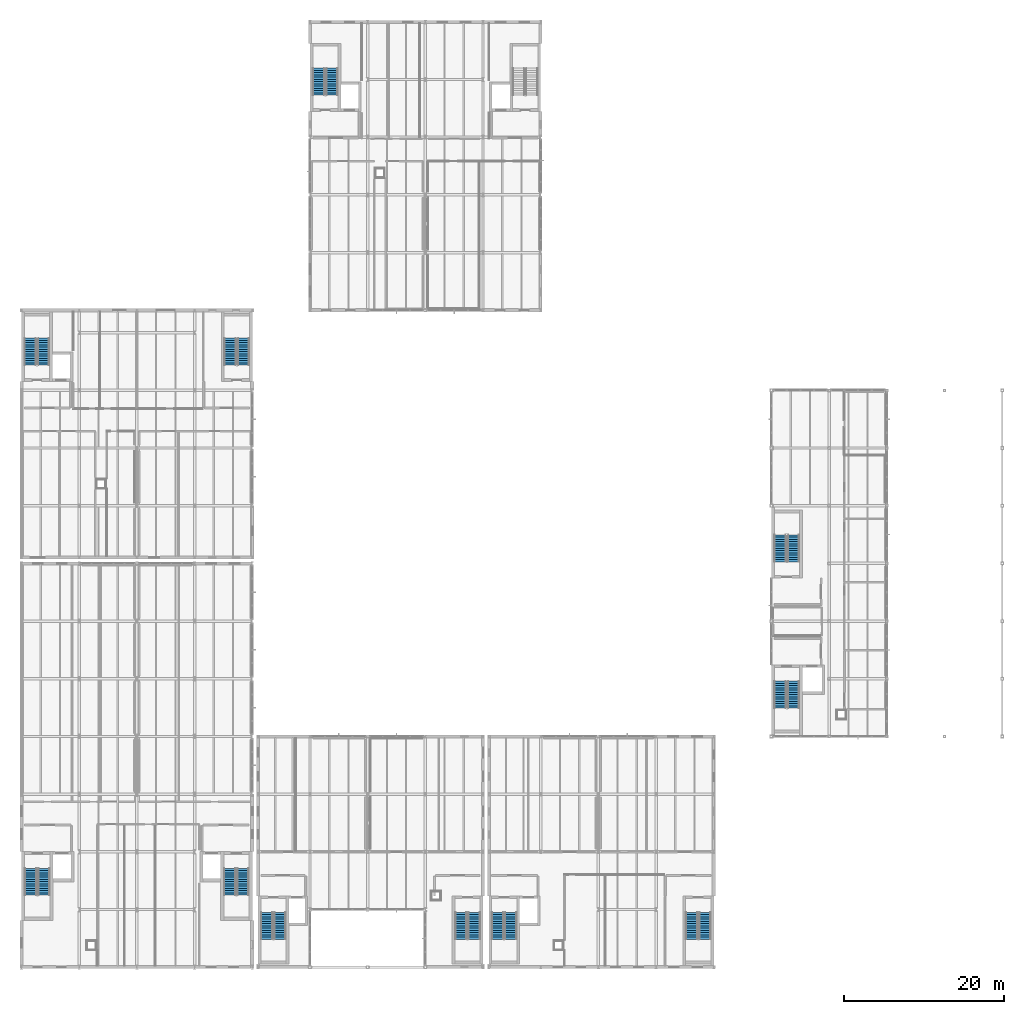
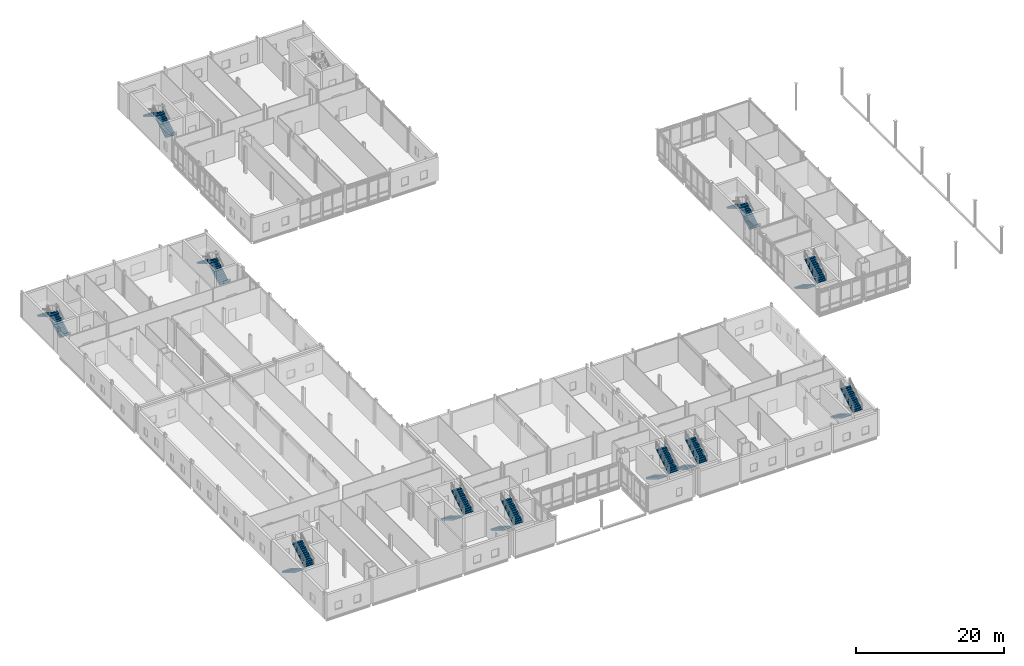
# One storey, part 63 of 76: 22 stair flights, 11 elements without a shape of their own.
"""IFC4 building model written with IfcOpenShell, lengths in metres."""

from ifc_helpers import new_model, si_unit, direction, frame, origin, place, context, subcontext, project, spatial, polyline, outline, extrude, material, type_object, element, aggregate, save


model = new_model("IFC4")

# Units and contexts
model_context = context("Model", 3, precision=1e-05, world=origin(), true_north=direction((0.0, 1.0)))
body_context = subcontext(model_context, "Body", "Model", "MODEL_VIEW")
ifc_project = project(units=[si_unit("LENGTHUNIT", "METRE"), si_unit("AREAUNIT", "SQUARE_METRE"), si_unit("VOLUMEUNIT", "CUBIC_METRE"), si_unit("PLANEANGLEUNIT", "RADIAN"), si_unit("MASSUNIT", "GRAM", prefix="KILO")], contexts=[model_context])

# Site, building, storey
site_placement = place(None, origin())
site = spatial("IfcSite", under=ifc_project, at=site_placement, CompositionType="ELEMENT")
building_placement = place(site_placement, origin())
building = spatial("IfcBuilding", under=site, at=building_placement, Name="Zarrinpeak Specialist Clinic", CompositionType="ELEMENT")
storey_placement = place(building_placement, frame((0.0, 0.0, 5.199951171875)))
storey = spatial("IfcBuildingStorey", under=building, at=storey_placement, Name="L01", CompositionType="ELEMENT", Elevation=5.199951171875)

# Stair, stair flights
ifc_material = material(Name="Concrete C35/45", Category="concrete")
stair_type = type_object("IfcStairType", Name="ST-DOG", PredefinedType="HALF_TURN_STAIR", material=ifc_material)
stair_1_placement = place(storey_placement, origin())
stair_1 = element("IfcStair", 1, at=stair_1_placement, inside=storey, type_object=stair_type, Name="L01 Protected Exit Stair ST-01", PredefinedType="HALF_TURN_STAIR")
stair_flight_type = type_object("IfcStairFlightType", Name="STF-150", PredefinedType="STRAIGHT", material=ifc_material)
stair_flight_1_placement = place(storey_placement, frame((1.14990234375, 12.35009765625, 0.0), z_axis=(0.0, 0.0, 1.0), x_axis=(0.0, -1.0, 0.0)))
stair_flight_1 = element("IfcStairFlight", 2, at=stair_flight_1_placement, type_object=stair_flight_type, Name="ST-01 flight 1", NumberOfRisers=13, NumberOfTreads=12, PredefinedType="STRAIGHT", RiserHeight=0.169230769, TreadLength=0.28, context=body_context, shape_type="SweptSolid", body=[
    extrude(outline(polyline([(0.0, 0.0), (0.0, 0.169189453125), (0.280029296875, 0.169189453125), (0.280029296875, 0.33837890625), (0.56005859375, 0.33837890625), (0.56005859375, 0.5078125), (0.840087890625, 0.5078125), (0.840087890625, 0.677001953125), (1.1201171875, 0.677001953125), (1.1201171875, 0.84619140625), (1.39990234375, 0.84619140625), (1.39990234375, 1.015380859375), (1.679931640625, 1.015380859375), (1.679931640625, 1.1845703125), (1.9599609375, 1.1845703125), (1.9599609375, 1.353759765625), (2.239990234375, 1.353759765625), (2.239990234375, 1.523193359375), (2.52001953125, 1.523193359375), (2.52001953125, 1.6923828125), (2.800048828125, 1.6923828125), (2.800048828125, 1.861572265625), (3.080078125, 1.861572265625), (3.080078125, 2.03076171875), (3.360107421875, 2.03076171875), (3.360107421875, 2.199951171875), (3.360107421875, 1.855712890625), (0.289794921875, 0.0), (0.0, 0.0)])), frame((0.0, 0.75, 0.0), z_axis=(0.0, -1.0, 0.0), x_axis=(1.0, 0.0, 0.0)), (0.0, 0.0, 1.0), 1.5),
])
stair_flight_2_placement = place(storey_placement, frame((2.800048828125, 8.989990234375, 2.199951171875), z_axis=(0.0, 0.0, 1.0), x_axis=(0.0, 1.0, 0.0)))
stair_flight_2 = element("IfcStairFlight", 3, at=stair_flight_2_placement, type_object=stair_flight_type, Name="ST-01 flight 2", NumberOfRisers=13, NumberOfTreads=12, PredefinedType="STRAIGHT", RiserHeight=0.169230769, TreadLength=0.28, context=body_context, shape_type="SweptSolid", body=[
    extrude(outline(polyline([(0.0, 0.0), (0.0, 0.169189453125), (0.280029296875, 0.169189453125), (0.280029296875, 0.33837890625), (0.56005859375, 0.33837890625), (0.56005859375, 0.5078125), (0.840087890625, 0.5078125), (0.840087890625, 0.677001953125), (1.1201171875, 0.677001953125), (1.1201171875, 0.84619140625), (1.39990234375, 0.84619140625), (1.39990234375, 1.015380859375), (1.679931640625, 1.015380859375), (1.679931640625, 1.1845703125), (1.9599609375, 1.1845703125), (1.9599609375, 1.353759765625), (2.239990234375, 1.353759765625), (2.239990234375, 1.523193359375), (2.52001953125, 1.523193359375), (2.52001953125, 1.6923828125), (2.800048828125, 1.6923828125), (2.800048828125, 1.861572265625), (3.080078125, 1.861572265625), (3.080078125, 2.03076171875), (3.360107421875, 2.03076171875), (3.360107421875, 2.199951171875), (3.360107421875, 1.855712890625), (0.289794921875, 0.0), (0.0, 0.0)])), frame((0.0, 0.75, 0.0), z_axis=(0.0, -1.0, 0.0), x_axis=(1.0, 0.0, 0.0)), (0.0, 0.0, 1.0), 1.5),
])
aggregate(stair_1, [stair_flight_1, stair_flight_2])

stair_2_placement = place(storey_placement, origin())
stair_2 = element("IfcStair", 4, at=stair_2_placement, inside=storey, type_object=stair_type, Name="L01 Protected Exit Stair ST-02", PredefinedType="HALF_TURN_STAIR")
stair_flight_3_placement = place(storey_placement, frame((26.0, 12.35009765625, 0.0), z_axis=(0.0, 0.0, 1.0), x_axis=(0.0, -1.0, 0.0)))
stair_flight_3 = element("IfcStairFlight", 5, at=stair_flight_3_placement, type_object=stair_flight_type, Name="ST-02 flight 1", NumberOfRisers=13, NumberOfTreads=12, PredefinedType="STRAIGHT", RiserHeight=0.169230769, TreadLength=0.28, context=body_context, shape_type="SweptSolid", body=[
    extrude(outline(polyline([(0.0, 0.0), (0.0, 0.169189453125), (0.280029296875, 0.169189453125), (0.280029296875, 0.33837890625), (0.56005859375, 0.33837890625), (0.56005859375, 0.5078125), (0.840087890625, 0.5078125), (0.840087890625, 0.677001953125), (1.1201171875, 0.677001953125), (1.1201171875, 0.84619140625), (1.39990234375, 0.84619140625), (1.39990234375, 1.015380859375), (1.679931640625, 1.015380859375), (1.679931640625, 1.1845703125), (1.9599609375, 1.1845703125), (1.9599609375, 1.353759765625), (2.239990234375, 1.353759765625), (2.239990234375, 1.523193359375), (2.52001953125, 1.523193359375), (2.52001953125, 1.6923828125), (2.800048828125, 1.6923828125), (2.800048828125, 1.861572265625), (3.080078125, 1.861572265625), (3.080078125, 2.03076171875), (3.360107421875, 2.03076171875), (3.360107421875, 2.199951171875), (3.360107421875, 1.855712890625), (0.289794921875, 0.0), (0.0, 0.0)])), frame((0.0, 0.75, 0.0), z_axis=(0.0, -1.0, 0.0), x_axis=(1.0, 0.0, 0.0)), (0.0, 0.0, 1.0), 1.5),
])
stair_flight_4_placement = place(storey_placement, frame((27.64990234375, 8.989990234375, 2.199951171875), z_axis=(0.0, 0.0, 1.0), x_axis=(0.0, 1.0, 0.0)))
stair_flight_4 = element("IfcStairFlight", 6, at=stair_flight_4_placement, type_object=stair_flight_type, Name="ST-02 flight 2", NumberOfRisers=13, NumberOfTreads=12, PredefinedType="STRAIGHT", RiserHeight=0.169230769, TreadLength=0.28, context=body_context, shape_type="SweptSolid", body=[
    extrude(outline(polyline([(0.0, 0.0), (0.0, 0.169189453125), (0.280029296875, 0.169189453125), (0.280029296875, 0.33837890625), (0.56005859375, 0.33837890625), (0.56005859375, 0.5078125), (0.840087890625, 0.5078125), (0.840087890625, 0.677001953125), (1.1201171875, 0.677001953125), (1.1201171875, 0.84619140625), (1.39990234375, 0.84619140625), (1.39990234375, 1.015380859375), (1.679931640625, 1.015380859375), (1.679931640625, 1.1845703125), (1.9599609375, 1.1845703125), (1.9599609375, 1.353759765625), (2.239990234375, 1.353759765625), (2.239990234375, 1.523193359375), (2.52001953125, 1.523193359375), (2.52001953125, 1.6923828125), (2.800048828125, 1.6923828125), (2.800048828125, 1.861572265625), (3.080078125, 1.861572265625), (3.080078125, 2.03076171875), (3.360107421875, 2.03076171875), (3.360107421875, 2.199951171875), (3.360107421875, 1.855712890625), (0.289794921875, 0.0), (0.0, 0.0)])), frame((0.0, 0.75, 0.0), z_axis=(0.0, -1.0, 0.0), x_axis=(1.0, 0.0, 0.0)), (0.0, 0.0, 1.0), 1.5),
])
aggregate(stair_2, [stair_flight_3, stair_flight_4])

stair_3_placement = place(storey_placement, origin())
stair_3 = element("IfcStair", 7, at=stair_3_placement, inside=storey, type_object=stair_type, Name="L01 Protected Exit Stair ST-03", PredefinedType="HALF_TURN_STAIR")
stair_flight_5_placement = place(storey_placement, frame((30.6201171875, 6.85009765625, 0.0), z_axis=(0.0, 0.0, 1.0), x_axis=(0.0, -1.0, 0.0)))
stair_flight_5 = element("IfcStairFlight", 8, at=stair_flight_5_placement, type_object=stair_flight_type, Name="ST-03 flight 1", NumberOfRisers=13, NumberOfTreads=12, PredefinedType="STRAIGHT", RiserHeight=0.169230769, TreadLength=0.28, context=body_context, shape_type="SweptSolid", body=[
    extrude(outline(polyline([(0.0, 0.0), (0.0, 0.169189453125), (0.280029296875, 0.169189453125), (0.280029296875, 0.33837890625), (0.56005859375, 0.33837890625), (0.56005859375, 0.5078125), (0.840087890625, 0.5078125), (0.840087890625, 0.677001953125), (1.1201171875, 0.677001953125), (1.1201171875, 0.84619140625), (1.39990234375, 0.84619140625), (1.39990234375, 1.015380859375), (1.679931640625, 1.015380859375), (1.679931640625, 1.1845703125), (1.9599609375, 1.1845703125), (1.9599609375, 1.353759765625), (2.239990234375, 1.353759765625), (2.239990234375, 1.523193359375), (2.52001953125, 1.523193359375), (2.52001953125, 1.6923828125), (2.800048828125, 1.6923828125), (2.800048828125, 1.861572265625), (3.080078125, 1.861572265625), (3.080078125, 2.03076171875), (3.360107421875, 2.03076171875), (3.360107421875, 2.199951171875), (3.360107421875, 1.855712890625), (0.289794921875, 0.0), (0.0, 0.0)])), frame((0.0, 0.75, 0.0), z_axis=(0.0, -1.0, 0.0), x_axis=(1.0, 0.0, 0.0)), (0.0, 0.0, 1.0), 1.5),
])
stair_flight_6_placement = place(storey_placement, frame((32.27001953125, 3.489990234375, 2.199951171875), z_axis=(0.0, 0.0, 1.0), x_axis=(0.0, 1.0, 0.0)))
stair_flight_6 = element("IfcStairFlight", 9, at=stair_flight_6_placement, type_object=stair_flight_type, Name="ST-03 flight 2", NumberOfRisers=13, NumberOfTreads=12, PredefinedType="STRAIGHT", RiserHeight=0.169230769, TreadLength=0.28, context=body_context, shape_type="SweptSolid", body=[
    extrude(outline(polyline([(0.0, 0.0), (0.0, 0.169189453125), (0.280029296875, 0.169189453125), (0.280029296875, 0.33837890625), (0.56005859375, 0.33837890625), (0.56005859375, 0.5078125), (0.840087890625, 0.5078125), (0.840087890625, 0.677001953125), (1.1201171875, 0.677001953125), (1.1201171875, 0.84619140625), (1.39990234375, 0.84619140625), (1.39990234375, 1.015380859375), (1.679931640625, 1.015380859375), (1.679931640625, 1.1845703125), (1.9599609375, 1.1845703125), (1.9599609375, 1.353759765625), (2.239990234375, 1.353759765625), (2.239990234375, 1.523193359375), (2.52001953125, 1.523193359375), (2.52001953125, 1.6923828125), (2.800048828125, 1.6923828125), (2.800048828125, 1.861572265625), (3.080078125, 1.861572265625), (3.080078125, 2.03076171875), (3.360107421875, 2.03076171875), (3.360107421875, 2.199951171875), (3.360107421875, 1.855712890625), (0.289794921875, 0.0), (0.0, 0.0)])), frame((0.0, 0.75, 0.0), z_axis=(0.0, -1.0, 0.0), x_axis=(1.0, 0.0, 0.0)), (0.0, 0.0, 1.0), 1.5),
])
aggregate(stair_3, [stair_flight_5, stair_flight_6])

stair_4_placement = place(storey_placement, origin())
stair_4 = element("IfcStair", 10, at=stair_4_placement, inside=storey, type_object=stair_type, Name="L01 Protected Exit Stair ST-04", PredefinedType="HALF_TURN_STAIR")
stair_flight_7_placement = place(storey_placement, frame((54.85009765625, 6.85009765625, 0.0), z_axis=(0.0, 0.0, 1.0), x_axis=(0.0, -1.0, 0.0)))
stair_flight_7 = element("IfcStairFlight", 11, at=stair_flight_7_placement, type_object=stair_flight_type, Name="ST-04 flight 1", NumberOfRisers=13, NumberOfTreads=12, PredefinedType="STRAIGHT", RiserHeight=0.169230769, TreadLength=0.28, context=body_context, shape_type="SweptSolid", body=[
    extrude(outline(polyline([(0.0, 0.0), (0.0, 0.169189453125), (0.280029296875, 0.169189453125), (0.280029296875, 0.33837890625), (0.56005859375, 0.33837890625), (0.56005859375, 0.5078125), (0.840087890625, 0.5078125), (0.840087890625, 0.677001953125), (1.1201171875, 0.677001953125), (1.1201171875, 0.84619140625), (1.39990234375, 0.84619140625), (1.39990234375, 1.015380859375), (1.679931640625, 1.015380859375), (1.679931640625, 1.1845703125), (1.9599609375, 1.1845703125), (1.9599609375, 1.353759765625), (2.239990234375, 1.353759765625), (2.239990234375, 1.523193359375), (2.52001953125, 1.523193359375), (2.52001953125, 1.6923828125), (2.800048828125, 1.6923828125), (2.800048828125, 1.861572265625), (3.080078125, 1.861572265625), (3.080078125, 2.03076171875), (3.360107421875, 2.03076171875), (3.360107421875, 2.199951171875), (3.360107421875, 1.855712890625), (0.289794921875, 0.0), (0.0, 0.0)])), frame((0.0, 0.75, 0.0), z_axis=(0.0, -1.0, 0.0), x_axis=(1.0, 0.0, 0.0)), (0.0, 0.0, 1.0), 1.5),
])
stair_flight_8_placement = place(storey_placement, frame((56.5, 3.489990234375, 2.199951171875), z_axis=(0.0, 0.0, 1.0), x_axis=(0.0, 1.0, 0.0)))
stair_flight_8 = element("IfcStairFlight", 12, at=stair_flight_8_placement, type_object=stair_flight_type, Name="ST-04 flight 2", NumberOfRisers=13, NumberOfTreads=12, PredefinedType="STRAIGHT", RiserHeight=0.169230769, TreadLength=0.28, context=body_context, shape_type="SweptSolid", body=[
    extrude(outline(polyline([(0.0, 0.0), (0.0, 0.169189453125), (0.280029296875, 0.169189453125), (0.280029296875, 0.33837890625), (0.56005859375, 0.33837890625), (0.56005859375, 0.5078125), (0.840087890625, 0.5078125), (0.840087890625, 0.677001953125), (1.1201171875, 0.677001953125), (1.1201171875, 0.84619140625), (1.39990234375, 0.84619140625), (1.39990234375, 1.015380859375), (1.679931640625, 1.015380859375), (1.679931640625, 1.1845703125), (1.9599609375, 1.1845703125), (1.9599609375, 1.353759765625), (2.239990234375, 1.353759765625), (2.239990234375, 1.523193359375), (2.52001953125, 1.523193359375), (2.52001953125, 1.6923828125), (2.800048828125, 1.6923828125), (2.800048828125, 1.861572265625), (3.080078125, 1.861572265625), (3.080078125, 2.03076171875), (3.360107421875, 2.03076171875), (3.360107421875, 2.199951171875), (3.360107421875, 1.855712890625), (0.289794921875, 0.0), (0.0, 0.0)])), frame((0.0, 0.75, 0.0), z_axis=(0.0, -1.0, 0.0), x_axis=(1.0, 0.0, 0.0)), (0.0, 0.0, 1.0), 1.5),
])
aggregate(stair_4, [stair_flight_7, stair_flight_8])

stair_5_placement = place(storey_placement, origin())
stair_5 = element("IfcStair", 13, at=stair_5_placement, inside=storey, type_object=stair_type, Name="L01 Protected Exit Stair ST-05", PredefinedType="HALF_TURN_STAIR")
stair_flight_9_placement = place(storey_placement, frame((94.699951171875, 35.699951171875, 0.0), z_axis=(0.0, 0.0, 1.0), x_axis=(0.0, -1.0, 0.0)))
stair_flight_9 = element("IfcStairFlight", 14, at=stair_flight_9_placement, type_object=stair_flight_type, Name="ST-05 flight 1", NumberOfRisers=13, NumberOfTreads=12, PredefinedType="STRAIGHT", RiserHeight=0.169230769, TreadLength=0.28, context=body_context, shape_type="SweptSolid", body=[
    extrude(outline(polyline([(0.0, 0.0), (0.0, 0.169189453125), (0.280029296875, 0.169189453125), (0.280029296875, 0.33837890625), (0.56005859375, 0.33837890625), (0.56005859375, 0.5078125), (0.840087890625, 0.5078125), (0.840087890625, 0.677001953125), (1.1201171875, 0.677001953125), (1.1201171875, 0.84619140625), (1.39990234375, 0.84619140625), (1.39990234375, 1.015380859375), (1.679931640625, 1.015380859375), (1.679931640625, 1.1845703125), (1.9599609375, 1.1845703125), (1.9599609375, 1.353759765625), (2.239990234375, 1.353759765625), (2.239990234375, 1.523193359375), (2.52001953125, 1.523193359375), (2.52001953125, 1.6923828125), (2.800048828125, 1.6923828125), (2.800048828125, 1.861572265625), (3.080078125, 1.861572265625), (3.080078125, 2.03076171875), (3.360107421875, 2.03076171875), (3.360107421875, 2.199951171875), (3.360107421875, 1.855712890625), (0.289794921875, 0.0), (0.0, 0.0)])), frame((0.0, 0.75, 0.0), z_axis=(0.0, -1.0, 0.0), x_axis=(1.0, 0.0, 0.0)), (0.0, 0.0, 1.0), 1.5),
])
stair_flight_10_placement = place(storey_placement, frame((96.35009765625, 32.340087890625, 2.199951171875), z_axis=(0.0, 0.0, 1.0), x_axis=(0.0, 1.0, 0.0)))
stair_flight_10 = element("IfcStairFlight", 15, at=stair_flight_10_placement, type_object=stair_flight_type, Name="ST-05 flight 2", NumberOfRisers=13, NumberOfTreads=12, PredefinedType="STRAIGHT", RiserHeight=0.169230769, TreadLength=0.28, context=body_context, shape_type="SweptSolid", body=[
    extrude(outline(polyline([(0.0, 0.0), (0.0, 0.169189453125), (0.280029296875, 0.169189453125), (0.280029296875, 0.33837890625), (0.56005859375, 0.33837890625), (0.56005859375, 0.5078125), (0.840087890625, 0.5078125), (0.840087890625, 0.677001953125), (1.1201171875, 0.677001953125), (1.1201171875, 0.84619140625), (1.39990234375, 0.84619140625), (1.39990234375, 1.015380859375), (1.679931640625, 1.015380859375), (1.679931640625, 1.1845703125), (1.9599609375, 1.1845703125), (1.9599609375, 1.353759765625), (2.239990234375, 1.353759765625), (2.239990234375, 1.523193359375), (2.52001953125, 1.523193359375), (2.52001953125, 1.6923828125), (2.800048828125, 1.6923828125), (2.800048828125, 1.861572265625), (3.080078125, 1.861572265625), (3.080078125, 2.03076171875), (3.360107421875, 2.03076171875), (3.360107421875, 2.199951171875), (3.360107421875, 1.855712890625), (0.289794921875, 0.0), (0.0, 0.0)])), frame((0.0, 0.75, 0.0), z_axis=(0.0, -1.0, 0.0), x_axis=(1.0, 0.0, 0.0)), (0.0, 0.0, 1.0), 1.5),
])
aggregate(stair_5, [stair_flight_9, stair_flight_10])

stair_6_placement = place(storey_placement, origin())
stair_6 = element("IfcStair", 16, at=stair_6_placement, inside=storey, type_object=stair_type, Name="L01 Protected Exit Stair ST-06", PredefinedType="HALF_TURN_STAIR")
stair_flight_11_placement = place(storey_placement, frame((96.35009765625, 50.60009765625, 0.0), z_axis=(0.0, 0.0, 1.0), x_axis=(0.0, 1.0, 0.0)))
stair_flight_11 = element("IfcStairFlight", 17, at=stair_flight_11_placement, type_object=stair_flight_type, Name="ST-06 flight 1", NumberOfRisers=13, NumberOfTreads=12, PredefinedType="STRAIGHT", RiserHeight=0.169230769, TreadLength=0.28, context=body_context, shape_type="SweptSolid", body=[
    extrude(outline(polyline([(0.0, 0.0), (0.0, 0.169189453125), (0.280029296875, 0.169189453125), (0.280029296875, 0.33837890625), (0.56005859375, 0.33837890625), (0.56005859375, 0.5078125), (0.840087890625, 0.5078125), (0.840087890625, 0.677001953125), (1.1201171875, 0.677001953125), (1.1201171875, 0.84619140625), (1.39990234375, 0.84619140625), (1.39990234375, 1.015380859375), (1.679931640625, 1.015380859375), (1.679931640625, 1.1845703125), (1.9599609375, 1.1845703125), (1.9599609375, 1.353759765625), (2.239990234375, 1.353759765625), (2.239990234375, 1.523193359375), (2.52001953125, 1.523193359375), (2.52001953125, 1.6923828125), (2.800048828125, 1.6923828125), (2.800048828125, 1.861572265625), (3.080078125, 1.861572265625), (3.080078125, 2.03076171875), (3.360107421875, 2.03076171875), (3.360107421875, 2.199951171875), (3.360107421875, 1.855712890625), (0.289794921875, 0.0), (0.0, 0.0)])), frame((0.0, 0.75, 0.0), z_axis=(0.0, -1.0, 0.0), x_axis=(1.0, 0.0, 0.0)), (0.0, 0.0, 1.0), 1.5),
])
stair_flight_12_placement = place(storey_placement, frame((94.699951171875, 53.9599609375, 2.199951171875), z_axis=(0.0, 0.0, 1.0), x_axis=(0.0, -1.0, 0.0)))
stair_flight_12 = element("IfcStairFlight", 18, at=stair_flight_12_placement, type_object=stair_flight_type, Name="ST-06 flight 2", NumberOfRisers=13, NumberOfTreads=12, PredefinedType="STRAIGHT", RiserHeight=0.169230769, TreadLength=0.28, context=body_context, shape_type="SweptSolid", body=[
    extrude(outline(polyline([(0.0, 0.0), (0.0, 0.169189453125), (0.280029296875, 0.169189453125), (0.280029296875, 0.33837890625), (0.56005859375, 0.33837890625), (0.56005859375, 0.5078125), (0.840087890625, 0.5078125), (0.840087890625, 0.677001953125), (1.1201171875, 0.677001953125), (1.1201171875, 0.84619140625), (1.39990234375, 0.84619140625), (1.39990234375, 1.015380859375), (1.679931640625, 1.015380859375), (1.679931640625, 1.1845703125), (1.9599609375, 1.1845703125), (1.9599609375, 1.353759765625), (2.239990234375, 1.353759765625), (2.239990234375, 1.523193359375), (2.52001953125, 1.523193359375), (2.52001953125, 1.6923828125), (2.800048828125, 1.6923828125), (2.800048828125, 1.861572265625), (3.080078125, 1.861572265625), (3.080078125, 2.03076171875), (3.360107421875, 2.03076171875), (3.360107421875, 2.199951171875), (3.360107421875, 1.855712890625), (0.289794921875, 0.0), (0.0, 0.0)])), frame((0.0, 0.75, 0.0), z_axis=(0.0, -1.0, 0.0), x_axis=(1.0, 0.0, 0.0)), (0.0, 0.0, 1.0), 1.5),
])
aggregate(stair_6, [stair_flight_11, stair_flight_12])

stair_7_placement = place(storey_placement, origin())
stair_7 = element("IfcStair", 19, at=stair_7_placement, inside=storey, type_object=stair_type, Name="L01 Protected Exit Stair ST-07", PredefinedType="HALF_TURN_STAIR")
stair_flight_13_placement = place(storey_placement, frame((59.419921875, 6.85009765625, 0.0), z_axis=(0.0, 0.0, 1.0), x_axis=(0.0, -1.0, 0.0)))
stair_flight_13 = element("IfcStairFlight", 20, at=stair_flight_13_placement, type_object=stair_flight_type, Name="ST-07 flight 1", NumberOfRisers=13, NumberOfTreads=12, PredefinedType="STRAIGHT", RiserHeight=0.169230769, TreadLength=0.28, context=body_context, shape_type="SweptSolid", body=[
    extrude(outline(polyline([(0.0, 0.0), (0.0, 0.169189453125), (0.280029296875, 0.169189453125), (0.280029296875, 0.33837890625), (0.56005859375, 0.33837890625), (0.56005859375, 0.5078125), (0.840087890625, 0.5078125), (0.840087890625, 0.677001953125), (1.1201171875, 0.677001953125), (1.1201171875, 0.84619140625), (1.39990234375, 0.84619140625), (1.39990234375, 1.015380859375), (1.679931640625, 1.015380859375), (1.679931640625, 1.1845703125), (1.9599609375, 1.1845703125), (1.9599609375, 1.353759765625), (2.239990234375, 1.353759765625), (2.239990234375, 1.523193359375), (2.52001953125, 1.523193359375), (2.52001953125, 1.6923828125), (2.800048828125, 1.6923828125), (2.800048828125, 1.861572265625), (3.080078125, 1.861572265625), (3.080078125, 2.03076171875), (3.360107421875, 2.03076171875), (3.360107421875, 2.199951171875), (3.360107421875, 1.855712890625), (0.289794921875, 0.0), (0.0, 0.0)])), frame((0.0, 0.75, 0.0), z_axis=(0.0, -1.0, 0.0), x_axis=(1.0, 0.0, 0.0)), (0.0, 0.0, 1.0), 1.5),
])
stair_flight_14_placement = place(storey_placement, frame((61.070068359375, 3.489990234375, 2.199951171875), z_axis=(0.0, 0.0, 1.0), x_axis=(0.0, 1.0, 0.0)))
stair_flight_14 = element("IfcStairFlight", 21, at=stair_flight_14_placement, type_object=stair_flight_type, Name="ST-07 flight 2", NumberOfRisers=13, NumberOfTreads=12, PredefinedType="STRAIGHT", RiserHeight=0.169230769, TreadLength=0.28, context=body_context, shape_type="SweptSolid", body=[
    extrude(outline(polyline([(0.0, 0.0), (0.0, 0.169189453125), (0.280029296875, 0.169189453125), (0.280029296875, 0.33837890625), (0.56005859375, 0.33837890625), (0.56005859375, 0.5078125), (0.840087890625, 0.5078125), (0.840087890625, 0.677001953125), (1.1201171875, 0.677001953125), (1.1201171875, 0.84619140625), (1.39990234375, 0.84619140625), (1.39990234375, 1.015380859375), (1.679931640625, 1.015380859375), (1.679931640625, 1.1845703125), (1.9599609375, 1.1845703125), (1.9599609375, 1.353759765625), (2.239990234375, 1.353759765625), (2.239990234375, 1.523193359375), (2.52001953125, 1.523193359375), (2.52001953125, 1.6923828125), (2.800048828125, 1.6923828125), (2.800048828125, 1.861572265625), (3.080078125, 1.861572265625), (3.080078125, 2.03076171875), (3.360107421875, 2.03076171875), (3.360107421875, 2.199951171875), (3.360107421875, 1.855712890625), (0.289794921875, 0.0), (0.0, 0.0)])), frame((0.0, 0.75, 0.0), z_axis=(0.0, -1.0, 0.0), x_axis=(1.0, 0.0, 0.0)), (0.0, 0.0, 1.0), 1.5),
])
aggregate(stair_7, [stair_flight_13, stair_flight_14])

stair_8_placement = place(storey_placement, origin())
stair_8 = element("IfcStair", 22, at=stair_8_placement, inside=storey, type_object=stair_type, Name="L01 Protected Exit Stair ST-08", PredefinedType="HALF_TURN_STAIR")
stair_flight_15_placement = place(storey_placement, frame((83.64990234375, 6.85009765625, 0.0), z_axis=(0.0, 0.0, 1.0), x_axis=(0.0, -1.0, 0.0)))
stair_flight_15 = element("IfcStairFlight", 23, at=stair_flight_15_placement, type_object=stair_flight_type, Name="ST-08 flight 1", NumberOfRisers=13, NumberOfTreads=12, PredefinedType="STRAIGHT", RiserHeight=0.169230769, TreadLength=0.28, context=body_context, shape_type="SweptSolid", body=[
    extrude(outline(polyline([(0.0, 0.0), (0.0, 0.169189453125), (0.280029296875, 0.169189453125), (0.280029296875, 0.33837890625), (0.56005859375, 0.33837890625), (0.56005859375, 0.5078125), (0.840087890625, 0.5078125), (0.840087890625, 0.677001953125), (1.1201171875, 0.677001953125), (1.1201171875, 0.84619140625), (1.39990234375, 0.84619140625), (1.39990234375, 1.015380859375), (1.679931640625, 1.015380859375), (1.679931640625, 1.1845703125), (1.9599609375, 1.1845703125), (1.9599609375, 1.353759765625), (2.239990234375, 1.353759765625), (2.239990234375, 1.523193359375), (2.52001953125, 1.523193359375), (2.52001953125, 1.6923828125), (2.800048828125, 1.6923828125), (2.800048828125, 1.861572265625), (3.080078125, 1.861572265625), (3.080078125, 2.03076171875), (3.360107421875, 2.03076171875), (3.360107421875, 2.199951171875), (3.360107421875, 1.855712890625), (0.289794921875, 0.0), (0.0, 0.0)])), frame((0.0, 0.75, 0.0), z_axis=(0.0, -1.0, 0.0), x_axis=(1.0, 0.0, 0.0)), (0.0, 0.0, 1.0), 1.5),
])
stair_flight_16_placement = place(storey_placement, frame((85.300048828125, 3.489990234375, 2.199951171875), z_axis=(0.0, 0.0, 1.0), x_axis=(0.0, 1.0, 0.0)))
stair_flight_16 = element("IfcStairFlight", 24, at=stair_flight_16_placement, type_object=stair_flight_type, Name="ST-08 flight 2", NumberOfRisers=13, NumberOfTreads=12, PredefinedType="STRAIGHT", RiserHeight=0.169230769, TreadLength=0.28, context=body_context, shape_type="SweptSolid", body=[
    extrude(outline(polyline([(0.0, 0.0), (0.0, 0.169189453125), (0.280029296875, 0.169189453125), (0.280029296875, 0.33837890625), (0.56005859375, 0.33837890625), (0.56005859375, 0.5078125), (0.840087890625, 0.5078125), (0.840087890625, 0.677001953125), (1.1201171875, 0.677001953125), (1.1201171875, 0.84619140625), (1.39990234375, 0.84619140625), (1.39990234375, 1.015380859375), (1.679931640625, 1.015380859375), (1.679931640625, 1.1845703125), (1.9599609375, 1.1845703125), (1.9599609375, 1.353759765625), (2.239990234375, 1.353759765625), (2.239990234375, 1.523193359375), (2.52001953125, 1.523193359375), (2.52001953125, 1.6923828125), (2.800048828125, 1.6923828125), (2.800048828125, 1.861572265625), (3.080078125, 1.861572265625), (3.080078125, 2.03076171875), (3.360107421875, 2.03076171875), (3.360107421875, 2.199951171875), (3.360107421875, 1.855712890625), (0.289794921875, 0.0), (0.0, 0.0)])), frame((0.0, 0.75, 0.0), z_axis=(0.0, -1.0, 0.0), x_axis=(1.0, 0.0, 0.0)), (0.0, 0.0, 1.0), 1.5),
])
aggregate(stair_8, [stair_flight_15, stair_flight_16])

stair_9_placement = place(storey_placement, origin())
stair_9 = element("IfcStair", 25, at=stair_9_placement, inside=storey, type_object=stair_type, Name="L01 Protected Exit Stair ST-09", PredefinedType="HALF_TURN_STAIR")
stair_flight_17_placement = place(storey_placement, frame((2.75, 75.14990234375, 0.0), z_axis=(0.0, 0.0, 1.0), x_axis=(0.0, 1.0, 0.0)))
stair_flight_17 = element("IfcStairFlight", 26, at=stair_flight_17_placement, type_object=stair_flight_type, Name="ST-09 flight 1", NumberOfRisers=13, NumberOfTreads=12, PredefinedType="STRAIGHT", RiserHeight=0.169230769, TreadLength=0.28, context=body_context, shape_type="SweptSolid", body=[
    extrude(outline(polyline([(0.0, 0.0), (0.0, 0.169189453125), (0.280029296875, 0.169189453125), (0.280029296875, 0.33837890625), (0.56005859375, 0.33837890625), (0.56005859375, 0.5078125), (0.840087890625, 0.5078125), (0.840087890625, 0.677001953125), (1.1201171875, 0.677001953125), (1.1201171875, 0.84619140625), (1.39990234375, 0.84619140625), (1.39990234375, 1.015380859375), (1.679931640625, 1.015380859375), (1.679931640625, 1.1845703125), (1.9599609375, 1.1845703125), (1.9599609375, 1.353759765625), (2.239990234375, 1.353759765625), (2.239990234375, 1.523193359375), (2.52001953125, 1.523193359375), (2.52001953125, 1.6923828125), (2.800048828125, 1.6923828125), (2.800048828125, 1.861572265625), (3.080078125, 1.861572265625), (3.080078125, 2.03076171875), (3.360107421875, 2.03076171875), (3.360107421875, 2.199951171875), (3.360107421875, 1.855712890625), (0.289794921875, 0.0), (0.0, 0.0)])), frame((0.0, 0.75, 0.0), z_axis=(0.0, -1.0, 0.0), x_axis=(1.0, 0.0, 0.0)), (0.0, 0.0, 1.0), 1.5),
])
stair_flight_18_placement = place(storey_placement, frame((1.10009765625, 78.510009765625, 2.199951171875), z_axis=(0.0, 0.0, 1.0), x_axis=(0.0, -1.0, 0.0)))
stair_flight_18 = element("IfcStairFlight", 27, at=stair_flight_18_placement, type_object=stair_flight_type, Name="ST-09 flight 2", NumberOfRisers=13, NumberOfTreads=12, PredefinedType="STRAIGHT", RiserHeight=0.169230769, TreadLength=0.28, context=body_context, shape_type="SweptSolid", body=[
    extrude(outline(polyline([(0.0, 0.0), (0.0, 0.169189453125), (0.280029296875, 0.169189453125), (0.280029296875, 0.33837890625), (0.56005859375, 0.33837890625), (0.56005859375, 0.5078125), (0.840087890625, 0.5078125), (0.840087890625, 0.677001953125), (1.1201171875, 0.677001953125), (1.1201171875, 0.84619140625), (1.39990234375, 0.84619140625), (1.39990234375, 1.015380859375), (1.679931640625, 1.015380859375), (1.679931640625, 1.1845703125), (1.9599609375, 1.1845703125), (1.9599609375, 1.353759765625), (2.239990234375, 1.353759765625), (2.239990234375, 1.523193359375), (2.52001953125, 1.523193359375), (2.52001953125, 1.6923828125), (2.800048828125, 1.6923828125), (2.800048828125, 1.861572265625), (3.080078125, 1.861572265625), (3.080078125, 2.03076171875), (3.360107421875, 2.03076171875), (3.360107421875, 2.199951171875), (3.360107421875, 1.855712890625), (0.289794921875, 0.0), (0.0, 0.0)])), frame((0.0, 0.75, 0.0), z_axis=(0.0, -1.0, 0.0), x_axis=(1.0, 0.0, 0.0)), (0.0, 0.0, 1.0), 1.5),
])
aggregate(stair_9, [stair_flight_17, stair_flight_18])

stair_10_placement = place(storey_placement, origin())
stair_10 = element("IfcStair", 28, at=stair_10_placement, inside=storey, type_object=stair_type, Name="L01 Protected Exit Stair ST-10", PredefinedType="HALF_TURN_STAIR")
stair_flight_19_placement = place(storey_placement, frame((27.699951171875, 75.14990234375, 0.0), z_axis=(0.0, 0.0, 1.0), x_axis=(0.0, 1.0, 0.0)))
stair_flight_19 = element("IfcStairFlight", 29, at=stair_flight_19_placement, type_object=stair_flight_type, Name="ST-10 flight 1", NumberOfRisers=13, NumberOfTreads=12, PredefinedType="STRAIGHT", RiserHeight=0.169230769, TreadLength=0.28, context=body_context, shape_type="SweptSolid", body=[
    extrude(outline(polyline([(0.0, 0.0), (0.0, 0.169189453125), (0.280029296875, 0.169189453125), (0.280029296875, 0.33837890625), (0.56005859375, 0.33837890625), (0.56005859375, 0.5078125), (0.840087890625, 0.5078125), (0.840087890625, 0.677001953125), (1.1201171875, 0.677001953125), (1.1201171875, 0.84619140625), (1.39990234375, 0.84619140625), (1.39990234375, 1.015380859375), (1.679931640625, 1.015380859375), (1.679931640625, 1.1845703125), (1.9599609375, 1.1845703125), (1.9599609375, 1.353759765625), (2.239990234375, 1.353759765625), (2.239990234375, 1.523193359375), (2.52001953125, 1.523193359375), (2.52001953125, 1.6923828125), (2.800048828125, 1.6923828125), (2.800048828125, 1.861572265625), (3.080078125, 1.861572265625), (3.080078125, 2.03076171875), (3.360107421875, 2.03076171875), (3.360107421875, 2.199951171875), (3.360107421875, 1.855712890625), (0.289794921875, 0.0), (0.0, 0.0)])), frame((0.0, 0.75, 0.0), z_axis=(0.0, -1.0, 0.0), x_axis=(1.0, 0.0, 0.0)), (0.0, 0.0, 1.0), 1.5),
])
stair_flight_20_placement = place(storey_placement, frame((26.050048828125, 78.510009765625, 2.199951171875), z_axis=(0.0, 0.0, 1.0), x_axis=(0.0, -1.0, 0.0)))
stair_flight_20 = element("IfcStairFlight", 30, at=stair_flight_20_placement, type_object=stair_flight_type, Name="ST-10 flight 2", NumberOfRisers=13, NumberOfTreads=12, PredefinedType="STRAIGHT", RiserHeight=0.169230769, TreadLength=0.28, context=body_context, shape_type="SweptSolid", body=[
    extrude(outline(polyline([(0.0, 0.0), (0.0, 0.169189453125), (0.280029296875, 0.169189453125), (0.280029296875, 0.33837890625), (0.56005859375, 0.33837890625), (0.56005859375, 0.5078125), (0.840087890625, 0.5078125), (0.840087890625, 0.677001953125), (1.1201171875, 0.677001953125), (1.1201171875, 0.84619140625), (1.39990234375, 0.84619140625), (1.39990234375, 1.015380859375), (1.679931640625, 1.015380859375), (1.679931640625, 1.1845703125), (1.9599609375, 1.1845703125), (1.9599609375, 1.353759765625), (2.239990234375, 1.353759765625), (2.239990234375, 1.523193359375), (2.52001953125, 1.523193359375), (2.52001953125, 1.6923828125), (2.800048828125, 1.6923828125), (2.800048828125, 1.861572265625), (3.080078125, 1.861572265625), (3.080078125, 2.03076171875), (3.360107421875, 2.03076171875), (3.360107421875, 2.199951171875), (3.360107421875, 1.855712890625), (0.289794921875, 0.0), (0.0, 0.0)])), frame((0.0, 0.75, 0.0), z_axis=(0.0, -1.0, 0.0), x_axis=(1.0, 0.0, 0.0)), (0.0, 0.0, 1.0), 1.5),
])
aggregate(stair_10, [stair_flight_19, stair_flight_20])

stair_11_placement = place(storey_placement, origin())
stair_11 = element("IfcStair", 31, at=stair_11_placement, inside=storey, type_object=stair_type, Name="L01 Protected Exit Stair ST-11", PredefinedType="HALF_TURN_STAIR")
stair_flight_21_placement = place(storey_placement, frame((38.75, 108.85009765625, 0.0), z_axis=(0.0, 0.0, 1.0), x_axis=(0.0, 1.0, 0.0)))
stair_flight_21 = element("IfcStairFlight", 32, at=stair_flight_21_placement, type_object=stair_flight_type, Name="ST-11 flight 1", NumberOfRisers=13, NumberOfTreads=12, PredefinedType="STRAIGHT", RiserHeight=0.169230769, TreadLength=0.28, context=body_context, shape_type="SweptSolid", body=[
    extrude(outline(polyline([(0.0, 0.0), (0.0, 0.169189453125), (0.280029296875, 0.169189453125), (0.280029296875, 0.33837890625), (0.56005859375, 0.33837890625), (0.56005859375, 0.5078125), (0.840087890625, 0.5078125), (0.840087890625, 0.677001953125), (1.1201171875, 0.677001953125), (1.1201171875, 0.84619140625), (1.39990234375, 0.84619140625), (1.39990234375, 1.015380859375), (1.679931640625, 1.015380859375), (1.679931640625, 1.1845703125), (1.9599609375, 1.1845703125), (1.9599609375, 1.353759765625), (2.239990234375, 1.353759765625), (2.239990234375, 1.523193359375), (2.52001953125, 1.523193359375), (2.52001953125, 1.6923828125), (2.800048828125, 1.6923828125), (2.800048828125, 1.861572265625), (3.080078125, 1.861572265625), (3.080078125, 2.03076171875), (3.360107421875, 2.03076171875), (3.360107421875, 2.199951171875), (3.360107421875, 1.855712890625), (0.289794921875, 0.0), (0.0, 0.0)])), frame((0.0, 0.75, 0.0), z_axis=(0.0, -1.0, 0.0), x_axis=(1.0, 0.0, 0.0)), (0.0, 0.0, 1.0), 1.5),
])
stair_flight_22_placement = place(storey_placement, frame((37.10009765625, 112.2099609375, 2.199951171875), z_axis=(0.0, 0.0, 1.0), x_axis=(0.0, -1.0, 0.0)))
stair_flight_22 = element("IfcStairFlight", 33, at=stair_flight_22_placement, type_object=stair_flight_type, Name="ST-11 flight 2", NumberOfRisers=13, NumberOfTreads=12, PredefinedType="STRAIGHT", RiserHeight=0.169230769, TreadLength=0.28, context=body_context, shape_type="SweptSolid", body=[
    extrude(outline(polyline([(0.0, 0.0), (0.0, 0.169189453125), (0.280029296875, 0.169189453125), (0.280029296875, 0.33837890625), (0.56005859375, 0.33837890625), (0.56005859375, 0.5078125), (0.840087890625, 0.5078125), (0.840087890625, 0.677001953125), (1.1201171875, 0.677001953125), (1.1201171875, 0.84619140625), (1.39990234375, 0.84619140625), (1.39990234375, 1.015380859375), (1.679931640625, 1.015380859375), (1.679931640625, 1.1845703125), (1.9599609375, 1.1845703125), (1.9599609375, 1.353759765625), (2.239990234375, 1.353759765625), (2.239990234375, 1.523193359375), (2.52001953125, 1.523193359375), (2.52001953125, 1.6923828125), (2.800048828125, 1.6923828125), (2.800048828125, 1.861572265625), (3.080078125, 1.861572265625), (3.080078125, 2.03076171875), (3.360107421875, 2.03076171875), (3.360107421875, 2.199951171875), (3.360107421875, 1.855712890625), (0.289794921875, 0.0), (0.0, 0.0)])), frame((0.0, 0.75, 0.0), z_axis=(0.0, -1.0, 0.0), x_axis=(1.0, 0.0, 0.0)), (0.0, 0.0, 1.0), 1.5),
])
aggregate(stair_11, [stair_flight_21, stair_flight_22])

save(model, "model.ifc")
